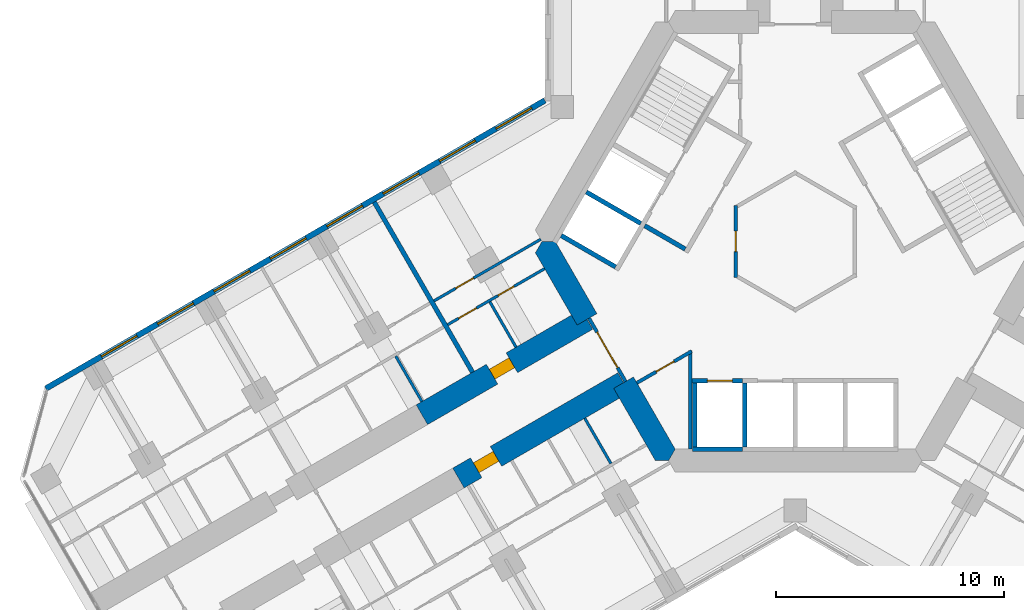
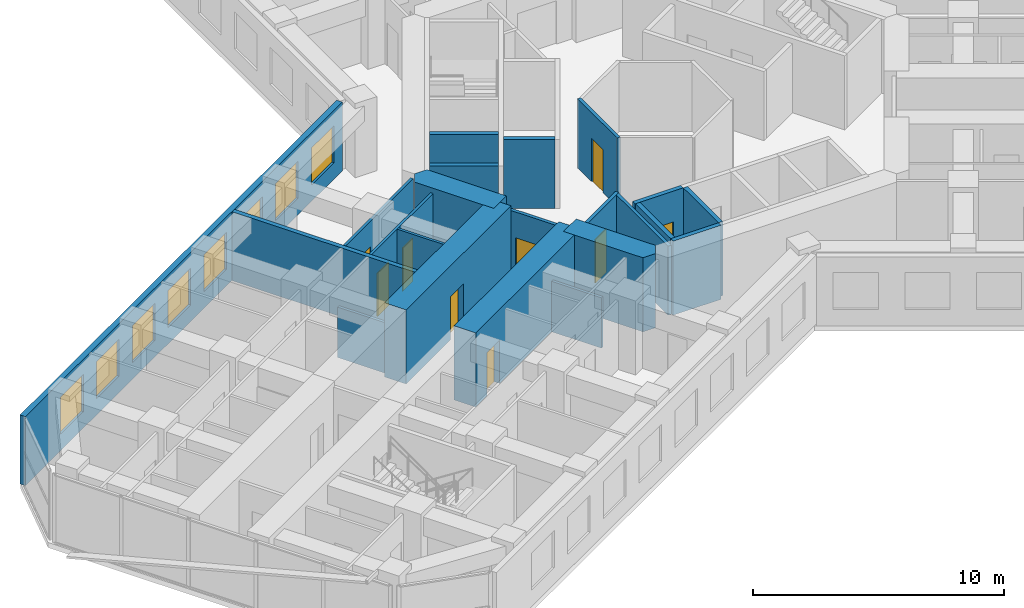
# One storey, part 12 of 21: 22 walls, 9 doors, 8 windows, 17 openings.
"""IFC4 building model written with IfcOpenShell, lengths in metres."""

import ifcopenshell
import ifcopenshell.guid

model = None  # the IFC model being written
_history = None  # IfcOwnerHistory: only IFC2X3 demands one
_inside = {}  # id of a spatial element -> (the spatial element, [elements in it])
_under = {}  # id of a project, library or spatial element -> (it, [spatial elements below it])
_declared = {}  # id of a project -> (the project, [libraries it declares])
_typed = {}  # id of a type object -> (the type object, [elements of that type])
_made_of = {}  # id of a material, layer set ... -> (it, [elements and type objects made of it])


def new_model(schema):
    """Start an empty IFC model of exactly this schema.

    Asked for "IFC4X3", IfcOpenShell would pick the latest addendum, in which some entities
    have other attributes; the version numbers below select the first issue.
    IFC2X3 requires an IfcOwnerHistory on every rooted entity: one is made here for all.
    """
    global model, _history
    if schema == "IFC4X3":
        model = ifcopenshell.file(schema_version=(4, 3, 0, 0))
    else:
        model = ifcopenshell.file(schema=schema)
    _inside.clear()
    _under.clear()
    _declared.clear()
    _typed.clear()
    _made_of.clear()
    _history = None
    if model.schema == "IFC2X3":
        org = make("IfcOrganization", Name="unknown")
        user = make(
            "IfcPersonAndOrganization",
            ThePerson=make("IfcPerson", FamilyName="unknown"),
            TheOrganization=org,
        )
        app = make(
            "IfcApplication",
            ApplicationDeveloper=org,
            Version="unknown",
            ApplicationFullName="unknown",
            ApplicationIdentifier="unknown",
        )
        _history = make(
            "IfcOwnerHistory",
            OwningUser=user,
            OwningApplication=app,
            ChangeAction="ADDED",
            CreationDate=0,
        )
    return model


def make(cls, **values):
    """One entity of the class cls with the attributes given. An attribute that is None is left unset."""
    return model.create_entity(
        cls, **{name: value for name, value in values.items() if value is not None}
    )


def rooted(cls, **values):
    """An entity with a GlobalId (a new one), such as an element, a storey or a relation."""
    return make(cls, GlobalId=ifcopenshell.guid.new(), OwnerHistory=_history, **values)


def si_unit(unit_type, name, prefix=None):
    """IfcSIUnit, for example si_unit("LENGTHUNIT", "METRE", prefix="MILLI")."""
    return make("IfcSIUnit", UnitType=unit_type, Prefix=prefix, Name=name)


def assignment(units):
    """IfcUnitAssignment: the units of a project."""
    return None if units is None else make("IfcUnitAssignment", Units=units)


def point(xyz):
    """IfcCartesianPoint."""
    return None if xyz is None else make("IfcCartesianPoint", Coordinates=xyz)


def direction(xyz):
    """IfcDirection."""
    return None if xyz is None else make("IfcDirection", DirectionRatios=xyz)


def frame(location, z_axis=None, x_axis=None):
    """IfcAxis2Placement3D, a coordinate frame: its origin and axes. An axis left out is left unset."""
    return make(
        "IfcAxis2Placement3D",
        Location=point(location),
        Axis=direction(z_axis),
        RefDirection=direction(x_axis),
    )


def frame_2d(location, x_axis=None):
    """IfcAxis2Placement2D, a coordinate frame in the plane: its origin and x axis."""
    return make(
        "IfcAxis2Placement2D", Location=point(location), RefDirection=direction(x_axis)
    )


def origin():
    """The frame at (0, 0, 0) with its axes left unset."""
    return frame((0.0, 0.0, 0.0))


def place(relative_to, where):
    """IfcLocalPlacement: puts the frame where relative to a parent placement (None: the world)."""
    return make(
        "IfcLocalPlacement", PlacementRelTo=relative_to, RelativePlacement=where
    )


def context(
    kind, dimensions, precision=None, world=None, true_north=None, identifier=None
):
    """IfcGeometricRepresentationContext, for example the 3D "Model" context."""
    return make(
        "IfcGeometricRepresentationContext",
        ContextIdentifier=identifier,
        ContextType=kind,
        CoordinateSpaceDimension=dimensions,
        Precision=precision,
        WorldCoordinateSystem=world,
        TrueNorth=true_north,
    )


def subcontext(parent, identifier, kind, view, scale=None):
    """IfcGeometricRepresentationSubContext, for example "Body" below "Model"."""
    return make(
        "IfcGeometricRepresentationSubContext",
        ContextIdentifier=identifier,
        ContextType=kind,
        ParentContext=parent,
        TargetScale=scale,
        TargetView=view,
    )


def project(units=None, contexts=None):
    """IfcProject with its units and contexts."""
    return rooted(
        "IfcProject",
        Name="project",
        RepresentationContexts=contexts,
        UnitsInContext=assignment(units),
    )


def spatial(cls, under=None, at=None, **own):
    """A site, building, storey or space (cls), placed at a placement, below another one or the project."""
    s = rooted(cls, ObjectPlacement=at, **own)
    if under is not None:
        _under.setdefault(under.id(), (under, []))[1].append(s)
    return s


def polyline(points):
    """IfcPolyline through the points."""
    return make("IfcPolyline", Points=[point(p) for p in points])


def profile(cls, at=None, kind="AREA", **sizes):
    """A parametric profile (cls). Its sizes go by their IFC names, for example OverallWidth=200.0."""
    return make(cls, ProfileType=kind, Position=at, **sizes)


def rectangle(**sizes):
    """IfcRectangleProfileDef."""
    return profile("IfcRectangleProfileDef", **sizes)


def outline(outer, holes=None, kind="AREA"):
    """IfcArbitraryClosedProfileDef: a profile drawn as a closed curve; with holes, ...WithVoids."""
    if holes is None:
        return make("IfcArbitraryClosedProfileDef", ProfileType=kind, OuterCurve=outer)
    return make(
        "IfcArbitraryProfileDefWithVoids",
        ProfileType=kind,
        OuterCurve=outer,
        InnerCurves=holes,
    )


def extrude(swept, where, along, depth):
    """IfcExtrudedAreaSolid: the profile swept, set in the frame where, extruded along a direction by depth."""
    return make(
        "IfcExtrudedAreaSolid",
        SweptArea=swept,
        Position=where,
        ExtrudedDirection=direction(along),
        Depth=depth,
    )


def shape(context_of_items, identifier, shape_type, items):
    """IfcShapeRepresentation: the items that make up one representation, for example the "Body"."""
    return make(
        "IfcShapeRepresentation",
        ContextOfItems=context_of_items,
        RepresentationIdentifier=identifier,
        RepresentationType=shape_type,
        Items=items,
    )


def material(Name=None, Category=None):
    """IfcMaterial."""
    return make("IfcMaterial", Name=Name, Category=Category)


def layer(
    of_material, thickness, ventilated=None, Name=None, Category=None, Priority=None
):
    """IfcMaterialLayer: one layer of a wall or slab, of a material (None: an air gap)."""
    return make(
        "IfcMaterialLayer",
        Material=of_material,
        LayerThickness=thickness,
        IsVentilated=ventilated,
        Name=Name,
        Category=Category,
        Priority=Priority,
    )


def layer_set(layers, Name=None):
    """IfcMaterialLayerSet."""
    return make("IfcMaterialLayerSet", MaterialLayers=layers, LayerSetName=Name)


def made_of(thing, what):
    """Note that an element or type object is made of a material, layer set ...; save() writes the relation."""
    if what is not None:
        _made_of.setdefault(what.id(), (what, []))[1].append(thing)
    return thing


def type_object(cls, material=None, **own):
    """A type object (cls), such as IfcWallType, which elements share."""
    return made_of(rooted(cls, **own), material)


def element(
    cls,
    number,
    at=None,
    inside=None,
    cuts=None,
    type_object=None,
    material=None,
    context=None,
    identifier="Body",
    shape_type=None,
    held_by="IfcProductDefinitionShape",
    body=None,
    shapes=None,
    **own,
):
    """One element of the class cls, such as IfcWall. Its Tag is "e" and its number.

    at: its placement. inside: the storey or other place that contains it. cuts: it is an
    opening in that element (IfcRelVoidsElement). A single representation is given by context,
    identifier, shape_type and body (its items); several are given by shapes. held_by: the class
    of the entity that holds the representations. save() writes the other relations.
    """
    e = rooted(cls, Tag="e%d" % number, ObjectPlacement=at, **own)
    if body is not None:
        shapes = [shape(context, identifier, shape_type, body)]
    if shapes is not None:
        e.Representation = make(held_by, Representations=shapes)
    if inside is not None:
        _inside.setdefault(inside.id(), (inside, []))[1].append(e)
    if cuts is not None:
        rooted(
            "IfcRelVoidsElement", RelatingBuildingElement=cuts, RelatedOpeningElement=e
        )
    if type_object is not None:
        _typed.setdefault(type_object.id(), (type_object, []))[1].append(e)
    return made_of(e, material)


def fill(opening, filler):
    """IfcRelFillsElement: the door or window that sits in an opening."""
    return rooted(
        "IfcRelFillsElement",
        RelatingOpeningElement=opening,
        RelatedBuildingElement=filler,
    )


def aggregate(whole, parts):
    """IfcRelAggregates: a whole, such as a stair, and the parts it consists of."""
    return rooted("IfcRelAggregates", RelatingObject=whole, RelatedObjects=parts)


def save(model, path):
    """Write the relations noted so far, then the file.

    IfcRelAggregates (storeys below a building ...), IfcRelContainedInSpatialStructure (elements
    in a storey), IfcRelDefinesByType, IfcRelAssociatesMaterial and IfcRelDeclares: one each for
    every whole, place, type object, material and project.
    """
    for whole, parts in _under.values():
        aggregate(whole, parts)
    for where, things in _inside.values():
        rooted(
            "IfcRelContainedInSpatialStructure",
            RelatedElements=things,
            RelatingStructure=where,
        )
    for kind, things in _typed.values():
        rooted("IfcRelDefinesByType", RelatedObjects=things, RelatingType=kind)
    for what, things in _made_of.values():
        rooted("IfcRelAssociatesMaterial", RelatedObjects=things, RelatingMaterial=what)
    for by, libraries in _declared.values():
        rooted("IfcRelDeclares", RelatingContext=by, RelatedDefinitions=libraries)
    model.write(path)


model = new_model("IFC4")

# Units and contexts
model_context = context("Model", 3, precision=1e-05, world=origin(), true_north=direction((0.0, 1.0)))
body_context = subcontext(model_context, "Body", "Model", "MODEL_VIEW")
ifc_project = project(units=[si_unit("LENGTHUNIT", "METRE"), si_unit("AREAUNIT", "SQUARE_METRE"), si_unit("VOLUMEUNIT", "CUBIC_METRE"), si_unit("PLANEANGLEUNIT", "RADIAN"), si_unit("MASSUNIT", "GRAM", prefix="KILO")], contexts=[model_context])

# Site, building, storey
site_placement = place(None, origin())
site = spatial("IfcSite", under=ifc_project, at=site_placement, CompositionType="ELEMENT")
building_placement = place(site_placement, origin())
building = spatial("IfcBuilding", under=site, at=building_placement, Name="Kosmar Iwan School Tower", CompositionType="ELEMENT")
storey_placement = place(building_placement, frame((0.0, 0.0, 46.60009765625)))
storey = spatial("IfcBuildingStorey", under=building, at=storey_placement, Name="L10", CompositionType="ELEMENT", Elevation=46.60009765625)

# Wall, opening, door
ifc_material_1 = material(Name="Gypsum board on steel studs, fire-rated", Category="steel")
ifc_layer_1 = layer(ifc_material_1, 0.14990234375)
ifc_layer_set_1 = layer_set([ifc_layer_1], Name="Core room partition 150")
wall_type_1 = type_object("IfcWallType", Name="Core room partition 150", PredefinedType="PARTITIONING", material=ifc_layer_set_1)
wall_1_placement = place(storey_placement, frame((-2.60009765625, -1.576171875, 0.0), z_axis=(0.0, 0.0, 1.0), x_axis=(0.0, 1.0, 0.0)))
wall_1 = element("IfcWall", 1, at=wall_1_placement, inside=storey, type_object=wall_type_1, Name="Core room partition L10-CW6", PredefinedType="PARTITIONING", context=body_context, shape_type="SweptSolid", body=[
    extrude(rectangle(XDim=3.15234375, YDim=0.14990234375, at=frame_2d((1.576171875, 0.0))), origin(), (0.0, 0.0, 1.0), 3.349853515625),
])
opening_1_placement = place(wall_1_placement, frame((1.1259765625, 0.0, 0.0)))
opening_1 = element("IfcOpeningElement", 2, at=opening_1_placement, cuts=wall_1, Name="Opening D14", PredefinedType="OPENING", context=body_context, shape_type="SweptSolid", body=[
    extrude(rectangle(XDim=0.89990234375, YDim=2.10009765625, at=frame_2d((0.449951171875, 1.050048828125))), frame((0.0, 0.0869140625, 0.0), z_axis=(0.0, -1.0, 0.0), x_axis=(1.0, 0.0, 0.0)), (0.0, 0.0, 1.0), 0.173828125),
])
ifc_material_2 = material(Name="Timber fire door in steel frame", Category="steel")
door_type_1 = type_object("IfcDoorType", Name="Core room door 900x2100", OperationType="SINGLE_SWING_LEFT", PredefinedType="DOOR", material=ifc_material_2)
door_1_placement = place(opening_1_placement, origin())
door_1 = element("IfcDoor", 3, at=door_1_placement, inside=storey, type_object=door_type_1, Name="Pram and buggy store door L10 3", OperationType="SINGLE_SWING_LEFT", OverallHeight=2.10009765625, OverallWidth=0.89990234375, PredefinedType="DOOR", context=body_context, shape_type="SweptSolid", body=[
    extrude(rectangle(XDim=0.89990234375, YDim=2.10009765625, at=frame_2d((0.449951171875, 1.050048828125))), frame((0.0, 0.02490234375, 0.0), z_axis=(0.0, -1.0, 0.0), x_axis=(1.0, 0.0, 0.0)), (0.0, 0.0, 1.0), 0.050048828125),
])
fill(opening_1, door_1)

wall_2_placement = place(storey_placement, frame((-6.930908203125, -6.195556640625, 0.0), z_axis=(0.0, 0.0, 1.0), x_axis=(0.866007755774, 0.500030566006, 0.0)))
wall_2 = element("IfcWall", 4, at=wall_2_placement, inside=storey, type_object=wall_type_1, Name="Core room partition L10-CW10", PredefinedType="PARTITIONING", context=body_context, shape_type="SweptSolid", body=[
    extrude(rectangle(XDim=2.766357421875, YDim=0.14990234375, at=frame_2d((1.38330078125, 0.0))), origin(), (0.0, 0.0, 1.0), 3.349853515625),
])
opening_2_placement = place(wall_2_placement, frame((0.97607421875, 0.0, 0.0)))
opening_2 = element("IfcOpeningElement", 5, at=opening_2_placement, cuts=wall_2, Name="Opening D14", PredefinedType="OPENING", context=body_context, shape_type="SweptSolid", body=[
    extrude(rectangle(XDim=0.89990234375, YDim=2.10009765625, at=frame_2d((0.449951171875, 1.050048828125))), frame((0.0, 0.0869140625, 0.0), z_axis=(0.0, -1.0, 0.0), x_axis=(1.0, 0.0, 0.0)), (0.0, 0.0, 1.0), 0.173828125),
])
door_2_placement = place(opening_2_placement, origin())
door_2 = element("IfcDoor", 6, at=door_2_placement, inside=storey, type_object=door_type_1, Name="Water meter room door L10 4", OperationType="SINGLE_SWING_RIGHT", OverallHeight=2.10009765625, OverallWidth=0.89990234375, PredefinedType="DOOR", context=body_context, shape_type="SweptSolid", body=[
    extrude(rectangle(XDim=0.89990234375, YDim=2.10009765625, at=frame_2d((0.449951171875, 1.050048828125))), frame((0.0, 0.02490234375, 0.0), z_axis=(0.0, -1.0, 0.0), x_axis=(1.0, 0.0, 0.0)), (0.0, 0.0, 1.0), 0.050048828125),
])
fill(opening_2, door_2)

# Walls
wall_3_placement = place(storey_placement, frame((-4.60009765625, -4.774658203125, 0.0), z_axis=(0.0, 0.0, 1.0), x_axis=(0.0, -1.0, 0.0)))
element("IfcWall", 7, at=wall_3_placement, inside=storey, type_object=wall_type_1, Name="Core room partition L10-CW11", PredefinedType="PARTITIONING", context=body_context, shape_type="SweptSolid", body=[
    extrude(rectangle(XDim=4.3203125, YDim=0.14990234375, at=frame_2d((2.16015625, 0.0))), origin(), (0.0, 0.0, 1.0), 3.349853515625),
])
ifc_material_3 = material(Name="Concrete C50/60", Category="concrete")
ifc_layer_2 = layer(ifc_material_3, 1.0)
ifc_layer_set_2 = layer_set([ifc_layer_2], Name="Core wall 1000")
wall_type_2 = type_object("IfcWallType", Name="Core wall 1000", PredefinedType="SHEAR", material=ifc_layer_set_2)
wall_4_placement = place(storey_placement, origin())
element("IfcWall", 8, at=wall_4_placement, inside=storey, type_object=wall_type_2, Name="Core wall F210a", PredefinedType="SHEAR", context=body_context, shape_type="SweptSolid", body=[
    extrude(outline(polyline([(-9.546875, -3.664306640625), (-8.680908203125, -3.164306640625), (-10.5078125, 0.0), (-11.085205078125, 0.0), (-11.373779296875, -0.5), (-9.546875, -3.664306640625)])), origin(), (0.0, 0.0, 1.0), 3.599853515625),
])
wall_5_placement = place(storey_placement, origin())
element("IfcWall", 9, at=wall_5_placement, inside=storey, type_object=wall_type_2, Name="Core wall F210b", PredefinedType="SHEAR", context=body_context, shape_type="SweptSolid", body=[
    extrude(outline(polyline([(-6.119873046875, -9.60009765625), (-5.54248046875, -9.60009765625), (-5.25390625, -9.10009765625), (-7.080810546875, -5.935546875), (-7.94677734375, -6.435546875), (-6.119873046875, -9.60009765625)])), origin(), (0.0, 0.0, 1.0), 3.599853515625),
])

# Wall, opening, door
ifc_material_4 = material(Name="Concrete C50/60", Category="concrete")
ifc_layer_3 = layer(ifc_material_4, 1.0)
ifc_layer_set_3 = layer_set([ifc_layer_3], Name="Corridor buttress wall 1000")
wall_type_3 = type_object("IfcWallType", Name="Corridor buttress wall 1000", PredefinedType="SHEAR", material=ifc_layer_set_3)
wall_6_placement = place(storey_placement, frame((-7.513916015625, -6.185546875, 0.0), z_axis=(0.0, 0.0, 1.0), x_axis=(-0.866019549707, -0.500010139422, 0.0)))
wall_6 = element("IfcWall", 10, at=wall_6_placement, inside=storey, type_object=wall_type_3, Name="Corridor wall BL", PredefinedType="SHEAR", context=body_context, shape_type="SweptSolid", body=[
    extrude(rectangle(XDim=8.349853515625, YDim=1.0, at=frame_2d((4.1748046875, 0.0))), origin(), (0.0, 0.0, 1.0), 3.599853515625),
])
opening_3_placement = place(wall_6_placement, frame((6.449951171875, 0.0, 0.0)))
opening_3 = element("IfcOpeningElement", 11, at=opening_3_placement, cuts=wall_6, Name="Opening D1", PredefinedType="OPENING", context=body_context, shape_type="SweptSolid", body=[
    extrude(rectangle(XDim=1.0, YDim=2.10009765625, at=frame_2d((0.5, 1.050048828125))), frame((0.0, 0.511962890625, 0.0), z_axis=(0.0, -1.0, 0.0), x_axis=(1.0, 0.0, 0.0)), (0.0, 0.0, 1.0), 1.02392578125),
])
ifc_material_5 = material(Name="Timber fire door in steel frame", Category="steel")
door_type_2 = type_object("IfcDoorType", Name="Flat entrance door 1000x2100", OperationType="SINGLE_SWING_LEFT", PredefinedType="DOOR", material=ifc_material_5)
door_3_placement = place(opening_3_placement, origin())
door_3 = element("IfcDoor", 12, at=door_3_placement, inside=storey, type_object=door_type_2, Name="Flat L10-BL1 entrance door", OperationType="SINGLE_SWING_LEFT", OverallHeight=2.10009765625, OverallWidth=1.0, PredefinedType="DOOR", context=body_context, shape_type="SweptSolid", body=[
    extrude(rectangle(XDim=1.0, YDim=2.10009765625, at=frame_2d((0.5, 1.050048828125))), frame((0.0, 0.25, 0.0), z_axis=(0.0, -1.0, 0.0), x_axis=(1.0, 0.0, 0.0)), (0.0, 0.0, 1.0), 0.5),
])
fill(opening_3, door_3)

wall_7_placement = place(storey_placement, frame((-9.11376953125, -3.414306640625, 0.0), z_axis=(0.0, 0.0, 1.0), x_axis=(-0.866026859388, -0.499997478812, 0.0)))
wall_7 = element("IfcWall", 13, at=wall_7_placement, inside=storey, type_object=wall_type_3, Name="Corridor wall BR", PredefinedType="SHEAR", context=body_context, shape_type="SweptSolid", body=[
    extrude(rectangle(XDim=8.35009765625, YDim=1.0, at=frame_2d((4.175048828125, 0.0))), origin(), (0.0, 0.0, 1.0), 3.599853515625),
])
opening_4_placement = place(wall_7_placement, frame((3.800048828125, 0.0, 0.0)))
opening_4 = element("IfcOpeningElement", 14, at=opening_4_placement, cuts=wall_7, Name="Opening D1", PredefinedType="OPENING", context=body_context, shape_type="SweptSolid", body=[
    extrude(rectangle(XDim=1.0, YDim=2.10009765625, at=frame_2d((0.5, 1.050048828125))), frame((0.0, 0.511962890625, 0.0), z_axis=(0.0, -1.0, 0.0), x_axis=(1.0, 0.0, 0.0)), (0.0, 0.0, 1.0), 1.02392578125),
])
door_4_placement = place(opening_4_placement, origin())
door_4 = element("IfcDoor", 15, at=door_4_placement, inside=storey, type_object=door_type_2, Name="Flat L10-BR1 entrance door", OperationType="SINGLE_SWING_RIGHT", OverallHeight=2.10009765625, OverallWidth=1.0, PredefinedType="DOOR", context=body_context, shape_type="SweptSolid", body=[
    extrude(rectangle(XDim=1.0, YDim=2.10009765625, at=frame_2d((0.5, 1.050048828125))), frame((0.0, 0.25, 0.0), z_axis=(0.0, -1.0, 0.0), x_axis=(1.0, 0.0, 0.0)), (0.0, 0.0, 1.0), 0.5),
])
fill(opening_4, door_4)

ifc_material_6 = material(Name="Steel framed glazed screen", Category="steel")
ifc_layer_4 = layer(ifc_material_6, 0.14990234375)
ifc_layer_set_4 = layer_set([ifc_layer_4], Name="Corridor screen wall 150")
wall_type_4 = type_object("IfcWallType", Name="Corridor screen wall 150", PredefinedType="PARTITIONING", material=ifc_layer_set_4)
wall_8_placement = place(storey_placement, frame((-9.02734375, -3.3642578125, 0.0), z_axis=(0.0, 0.0, 1.0), x_axis=(0.499995408039, -0.866028054938, 0.0)))
wall_8 = element("IfcWall", 16, at=wall_8_placement, inside=storey, type_object=wall_type_4, Name="Corridor screen B L10", PredefinedType="PARTITIONING", context=body_context, shape_type="SweptSolid", body=[
    extrude(rectangle(XDim=3.2001953125, YDim=0.14990234375, at=frame_2d((1.60009765625, 0.0))), origin(), (0.0, 0.0, 1.0), 3.349853515625),
])
opening_5_placement = place(wall_8_placement, frame((0.699951171875, 0.0, 0.0)))
opening_5 = element("IfcOpeningElement", 17, at=opening_5_placement, cuts=wall_8, Name="Opening D9", PredefinedType="OPENING", context=body_context, shape_type="SweptSolid", body=[
    extrude(rectangle(XDim=1.800048828125, YDim=2.10009765625, at=frame_2d((0.89990234375, 1.050048828125))), frame((0.0, 0.0869140625, 0.0), z_axis=(0.0, -1.0, 0.0), x_axis=(1.0, 0.0, 0.0)), (0.0, 0.0, 1.0), 0.173828125),
])
ifc_material_7 = material(Name="Steel framed glazed smoke door", Category="steel")
door_type_3 = type_object("IfcDoorType", Name="Corridor smoke door pair 1800x2100", OperationType="DOUBLE_DOOR_DOUBLE_SWING", PredefinedType="DOOR", material=ifc_material_7)
door_5_placement = place(opening_5_placement, origin())
door_5 = element("IfcDoor", 18, at=door_5_placement, inside=storey, type_object=door_type_3, Name="Corridor doors B L10", OperationType="DOUBLE_DOOR_DOUBLE_SWING", OverallHeight=2.10009765625, OverallWidth=1.800048828125, PredefinedType="DOOR", context=body_context, shape_type="SweptSolid", body=[
    extrude(rectangle(XDim=1.800048828125, YDim=2.10009765625, at=frame_2d((0.89990234375, 1.050048828125))), frame((0.0, 0.02490234375, 0.0), z_axis=(0.0, -1.0, 0.0), x_axis=(1.0, 0.0, 0.0)), (0.0, 0.0, 1.0), 0.050048828125),
])
fill(opening_5, door_5)

# Wall
ifc_material_8 = material(Name="Gypsum board on steel studs", Category="steel")
ifc_layer_5 = layer(ifc_material_8, 0.1201171875)
ifc_layer_set_5 = layer_set([ifc_layer_5], Name="Dwelling partition 120")
wall_type_5 = type_object("IfcWallType", Name="Dwelling partition 120", PredefinedType="PARTITIONING", material=ifc_layer_set_5)
wall_9_placement = place(storey_placement, frame((-9.21240234375, -7.74365234375, 0.0), z_axis=(0.0, 0.0, 1.0), x_axis=(0.500014693593, -0.866016920268, 0.0)))
element("IfcWall", 19, at=wall_9_placement, inside=storey, type_object=wall_type_5, Name="Partition L10-BL1-Y1", PredefinedType="PARTITIONING", context=body_context, shape_type="SweptSolid", body=[
    extrude(rectangle(XDim=2.2900390625, YDim=0.1201171875, at=frame_2d((1.14501953125, 0.0))), origin(), (0.0, 0.0, 1.0), 2.449951171875),
])

# Wall, openings, doors
wall_10_placement = place(storey_placement, frame((-10.971923828125, -1.1962890625, 0.0), z_axis=(0.0, 0.0, 1.0), x_axis=(-0.866023786258, -0.500002801628, 0.0)))
wall_10 = element("IfcWall", 20, at=wall_10_placement, inside=storey, type_object=wall_type_5, Name="Partition L10-BR1-W1", PredefinedType="PARTITIONING", context=body_context, shape_type="SweptSolid", body=[
    extrude(rectangle(XDim=4.89990234375, YDim=0.1201171875, at=frame_2d((2.449951171875, 0.0))), origin(), (0.0, 0.0, 1.0), 3.349853515625),
])
opening_6_placement = place(wall_10_placement, frame((1.550048828125, 0.0, 0.0)))
opening_6 = element("IfcOpeningElement", 21, at=opening_6_placement, cuts=wall_10, Name="Opening D3", PredefinedType="OPENING", context=body_context, shape_type="SweptSolid", body=[
    extrude(rectangle(XDim=0.800048828125, YDim=2.10009765625, at=frame_2d((0.39990234375, 1.050048828125))), frame((0.0, 0.072021484375, 0.0), z_axis=(0.0, -1.0, 0.0), x_axis=(1.0, 0.0, 0.0)), (0.0, 0.0, 1.0), 0.14404296875),
])
opening_7_placement = place(wall_10_placement, frame((3.449951171875, 0.0, 0.0)))
opening_7 = element("IfcOpeningElement", 22, at=opening_7_placement, cuts=wall_10, Name="Opening D2", PredefinedType="OPENING", context=body_context, shape_type="SweptSolid", body=[
    extrude(rectangle(XDim=0.89990234375, YDim=2.10009765625, at=frame_2d((0.449951171875, 1.050048828125))), frame((0.0, 0.072021484375, 0.0), z_axis=(0.0, -1.0, 0.0), x_axis=(1.0, 0.0, 0.0)), (0.0, 0.0, 1.0), 0.14404296875),
])
ifc_material_9 = material(Name="Timber door in timber frame", Category="wood")
door_type_4 = type_object("IfcDoorType", Name="Internal door 900x2100", OperationType="SINGLE_SWING_LEFT", PredefinedType="DOOR", material=ifc_material_9)
door_6_placement = place(opening_7_placement, origin())
door_6 = element("IfcDoor", 23, at=door_6_placement, inside=storey, type_object=door_type_4, Name="Entrance hall door L10-BR1-S2", OperationType="SINGLE_SWING_RIGHT", OverallHeight=2.10009765625, OverallWidth=0.89990234375, PredefinedType="DOOR", context=body_context, shape_type="SweptSolid", body=[
    extrude(rectangle(XDim=0.89990234375, YDim=2.10009765625, at=frame_2d((0.449951171875, 1.050048828125))), frame((0.0, 0.02490234375, 0.0), z_axis=(0.0, -1.0, 0.0), x_axis=(1.0, 0.0, 0.0)), (0.0, 0.0, 1.0), 0.050048828125),
])
fill(opening_7, door_6)
ifc_material_10 = material(Name="Timber door in timber frame", Category="wood")
door_type_5 = type_object("IfcDoorType", Name="Sanitary room door 800x2100", OperationType="SINGLE_SWING_LEFT", PredefinedType="DOOR", material=ifc_material_10)
door_7_placement = place(opening_6_placement, origin())
door_7 = element("IfcDoor", 24, at=door_7_placement, inside=storey, type_object=door_type_5, Name="Bathroom door L10-BR1-S1", OperationType="SINGLE_SWING_RIGHT", OverallHeight=2.10009765625, OverallWidth=0.800048828125, PredefinedType="DOOR", context=body_context, shape_type="SweptSolid", body=[
    extrude(rectangle(XDim=0.800048828125, YDim=2.10009765625, at=frame_2d((0.39990234375, 1.050048828125))), frame((0.0, 0.02490234375, 0.0), z_axis=(0.0, -1.0, 0.0), x_axis=(1.0, 0.0, 0.0)), (0.0, 0.0, 1.0), 0.050048828125),
])
fill(opening_6, door_7)

# Wall, opening, door
wall_11_placement = place(storey_placement, frame((-11.138916015625, 0.093017578125, 0.0), z_axis=(0.0, 0.0, 1.0), x_axis=(-0.866028230842, -0.499995103361, 0.0)))
wall_11 = element("IfcWall", 25, at=wall_11_placement, inside=storey, type_object=wall_type_5, Name="Partition L10-BR1-W2", PredefinedType="PARTITIONING", context=body_context, shape_type="SweptSolid", body=[
    extrude(rectangle(XDim=5.39990234375, YDim=0.1201171875, at=frame_2d((2.699951171875, 0.0))), origin(), (0.0, 0.0, 1.0), 3.349853515625),
])
opening_8_placement = place(wall_11_placement, frame((3.39990234375, 0.0, 0.0)))
opening_8 = element("IfcOpeningElement", 26, at=opening_8_placement, cuts=wall_11, Name="Opening D2", PredefinedType="OPENING", context=body_context, shape_type="SweptSolid", body=[
    extrude(rectangle(XDim=0.89990234375, YDim=2.10009765625, at=frame_2d((0.449951171875, 1.050048828125))), frame((0.0, 0.072021484375, 0.0), z_axis=(0.0, -1.0, 0.0), x_axis=(1.0, 0.0, 0.0)), (0.0, 0.0, 1.0), 0.14404296875),
])
door_8_placement = place(opening_8_placement, origin())
door_8 = element("IfcDoor", 27, at=door_8_placement, inside=storey, type_object=door_type_4, Name="Studio living room and kitchen door L10-BR1-F1", OperationType="SINGLE_SWING_RIGHT", OverallHeight=2.10009765625, OverallWidth=0.89990234375, PredefinedType="DOOR", context=body_context, shape_type="SweptSolid", body=[
    extrude(rectangle(XDim=0.89990234375, YDim=2.10009765625, at=frame_2d((0.449951171875, 1.050048828125))), frame((0.0, 0.02490234375, 0.0), z_axis=(0.0, -1.0, 0.0), x_axis=(1.0, 0.0, 0.0)), (0.0, 0.0, 1.0), 0.050048828125),
])
fill(opening_8, door_8)

# Walls
wall_12_placement = place(storey_placement, frame((-12.2216796875, -4.63134765625, 0.0), z_axis=(0.0, 0.0, 1.0), x_axis=(-0.500014693593, 0.866016920268, 0.0)))
element("IfcWall", 28, at=wall_12_placement, inside=storey, type_object=wall_type_5, Name="Partition L10-BR1-Y1", PredefinedType="PARTITIONING", context=body_context, shape_type="SweptSolid", body=[
    extrude(rectangle(XDim=2.2900390625, YDim=0.1201171875, at=frame_2d((1.14501953125, 0.0))), origin(), (0.0, 0.0, 1.0), 3.349853515625),
])
wall_13_placement = place(storey_placement, frame((-16.341552734375, -7.010009765625, 0.0), z_axis=(0.0, 0.0, 1.0), x_axis=(-0.499968531483, 0.866043571379, 0.0)))
element("IfcWall", 29, at=wall_13_placement, inside=storey, type_object=wall_type_5, Name="Partition L10-BR2-Y1", PredefinedType="PARTITIONING", context=body_context, shape_type="SweptSolid", body=[
    extrude(rectangle(XDim=2.290283203125, YDim=0.1201171875, at=frame_2d((1.14501953125, 0.0))), origin(), (0.0, 0.0, 1.0), 2.449951171875),
])

# Wall, openings, windows
ifc_material_11 = material(Name="Black aluminium rainscreen on insulated framing", Category="aluminium")
ifc_layer_6 = layer(ifc_material_11, 0.25)
ifc_layer_set_6 = layer_set([ifc_layer_6], Name="External wall rainscreen 250")
wall_type_6 = type_object("IfcWallType", Name="External wall rainscreen 250", PredefinedType="SOLIDWALL", material=ifc_layer_set_6)
wall_14_placement = place(storey_placement, frame((-10.962890625, 6.170166015625, 0.0), z_axis=(0.0, 0.0, 1.0), x_axis=(-0.86602796634, -0.499995561497, 0.0)))
wall_14 = element("IfcWall", 30, at=wall_14_placement, inside=storey, type_object=wall_type_6, Name="External wall BR L10", PredefinedType="SOLIDWALL", context=body_context, shape_type="SweptSolid", body=[
    extrude(rectangle(XDim=25.226318359375, YDim=0.25, at=frame_2d((12.61328125, 0.0))), origin(), (0.0, 0.0, 1.0), 3.349853515625),
])
opening_9_placement = place(wall_14_placement, frame((0.666015625, 0.0, 0.800048828125)))
opening_9 = element("IfcOpeningElement", 31, at=opening_9_placement, cuts=wall_14, Name="Opening W1", PredefinedType="OPENING", context=body_context, shape_type="SweptSolid", body=[
    extrude(rectangle(XDim=1.800048828125, YDim=1.800048828125, at=frame_2d((0.89990234375, 0.89990234375))), frame((0.0, 0.136962890625, 0.0), z_axis=(0.0, -1.0, 0.0), x_axis=(1.0, 0.0, 0.0)), (0.0, 0.0, 1.0), 0.27392578125),
])
opening_10_placement = place(wall_14_placement, frame((3.51611328125, 0.0, 0.800048828125)))
opening_10 = element("IfcOpeningElement", 32, at=opening_10_placement, cuts=wall_14, Name="Opening W1", PredefinedType="OPENING", context=body_context, shape_type="SweptSolid", body=[
    extrude(rectangle(XDim=1.800048828125, YDim=1.800048828125, at=frame_2d((0.89990234375, 0.89990234375))), frame((0.0, 0.136962890625, 0.0), z_axis=(0.0, -1.0, 0.0), x_axis=(1.0, 0.0, 0.0)), (0.0, 0.0, 1.0), 0.27392578125),
])
opening_11_placement = place(wall_14_placement, frame((6.365966796875, 0.0, 0.800048828125)))
opening_11 = element("IfcOpeningElement", 33, at=opening_11_placement, cuts=wall_14, Name="Opening W1", PredefinedType="OPENING", context=body_context, shape_type="SweptSolid", body=[
    extrude(rectangle(XDim=1.800048828125, YDim=1.800048828125, at=frame_2d((0.89990234375, 0.89990234375))), frame((0.0, 0.136962890625, 0.0), z_axis=(0.0, -1.0, 0.0), x_axis=(1.0, 0.0, 0.0)), (0.0, 0.0, 1.0), 0.27392578125),
])
opening_12_placement = place(wall_14_placement, frame((9.216064453125, 0.0, 0.800048828125)))
opening_12 = element("IfcOpeningElement", 34, at=opening_12_placement, cuts=wall_14, Name="Opening W1", PredefinedType="OPENING", context=body_context, shape_type="SweptSolid", body=[
    extrude(rectangle(XDim=1.800048828125, YDim=1.800048828125, at=frame_2d((0.89990234375, 0.89990234375))), frame((0.0, 0.136962890625, 0.0), z_axis=(0.0, -1.0, 0.0), x_axis=(1.0, 0.0, 0.0)), (0.0, 0.0, 1.0), 0.27392578125),
])
opening_13_placement = place(wall_14_placement, frame((12.06591796875, 0.0, 0.800048828125)))
opening_13 = element("IfcOpeningElement", 35, at=opening_13_placement, cuts=wall_14, Name="Opening W1", PredefinedType="OPENING", context=body_context, shape_type="SweptSolid", body=[
    extrude(rectangle(XDim=1.800048828125, YDim=1.800048828125, at=frame_2d((0.89990234375, 0.89990234375))), frame((0.0, 0.136962890625, 0.0), z_axis=(0.0, -1.0, 0.0), x_axis=(1.0, 0.0, 0.0)), (0.0, 0.0, 1.0), 0.27392578125),
])
opening_14_placement = place(wall_14_placement, frame((14.916015625, 0.0, 0.800048828125)))
opening_14 = element("IfcOpeningElement", 36, at=opening_14_placement, cuts=wall_14, Name="Opening W1", PredefinedType="OPENING", context=body_context, shape_type="SweptSolid", body=[
    extrude(rectangle(XDim=1.800048828125, YDim=1.800048828125, at=frame_2d((0.89990234375, 0.89990234375))), frame((0.0, 0.136962890625, 0.0), z_axis=(0.0, -1.0, 0.0), x_axis=(1.0, 0.0, 0.0)), (0.0, 0.0, 1.0), 0.27392578125),
])
opening_15_placement = place(wall_14_placement, frame((17.76611328125, 0.0, 0.800048828125)))
opening_15 = element("IfcOpeningElement", 37, at=opening_15_placement, cuts=wall_14, Name="Opening W1", PredefinedType="OPENING", context=body_context, shape_type="SweptSolid", body=[
    extrude(rectangle(XDim=1.800048828125, YDim=1.800048828125, at=frame_2d((0.89990234375, 0.89990234375))), frame((0.0, 0.136962890625, 0.0), z_axis=(0.0, -1.0, 0.0), x_axis=(1.0, 0.0, 0.0)), (0.0, 0.0, 1.0), 0.27392578125),
])
opening_16_placement = place(wall_14_placement, frame((20.615966796875, 0.0, 0.800048828125)))
opening_16 = element("IfcOpeningElement", 38, at=opening_16_placement, cuts=wall_14, Name="Opening W1", PredefinedType="OPENING", context=body_context, shape_type="SweptSolid", body=[
    extrude(rectangle(XDim=1.800048828125, YDim=1.800048828125, at=frame_2d((0.89990234375, 0.89990234375))), frame((0.0, 0.136962890625, 0.0), z_axis=(0.0, -1.0, 0.0), x_axis=(1.0, 0.0, 0.0)), (0.0, 0.0, 1.0), 0.27392578125),
])
ifc_material_12 = material(Name="Black aluminium frame with dark triple glazing", Category="aluminium")
window_type = type_object("IfcWindowType", Name="Window 1800x1800", PartitioningType="SINGLE_PANEL", PredefinedType="WINDOW", material=ifc_material_12)
window_1_placement = place(opening_9_placement, origin())
window_1 = element("IfcWindow", 39, at=window_1_placement, inside=storey, type_object=window_type, Name="Window BR L10 -1", OverallHeight=1.800048828125, OverallWidth=1.800048828125, PartitioningType="SINGLE_PANEL", PredefinedType="WINDOW", context=body_context, shape_type="SweptSolid", body=[
    extrude(rectangle(XDim=1.800048828125, YDim=1.800048828125, at=frame_2d((0.89990234375, 0.89990234375))), frame((0.0, 0.030029296875, 0.0), z_axis=(0.0, -1.0, 0.0), x_axis=(1.0, 0.0, 0.0)), (0.0, 0.0, 1.0), 0.06005859375),
])
fill(opening_9, window_1)
window_2_placement = place(opening_10_placement, origin())
window_2 = element("IfcWindow", 40, at=window_2_placement, inside=storey, type_object=window_type, Name="Window BR L10 0", OverallHeight=1.800048828125, OverallWidth=1.800048828125, PartitioningType="SINGLE_PANEL", PredefinedType="WINDOW", context=body_context, shape_type="SweptSolid", body=[
    extrude(rectangle(XDim=1.800048828125, YDim=1.800048828125, at=frame_2d((0.89990234375, 0.89990234375))), frame((0.0, 0.030029296875, 0.0), z_axis=(0.0, -1.0, 0.0), x_axis=(1.0, 0.0, 0.0)), (0.0, 0.0, 1.0), 0.06005859375),
])
fill(opening_10, window_2)
window_3_placement = place(opening_11_placement, origin())
window_3 = element("IfcWindow", 41, at=window_3_placement, inside=storey, type_object=window_type, Name="Window BR L10 1", OverallHeight=1.800048828125, OverallWidth=1.800048828125, PartitioningType="SINGLE_PANEL", PredefinedType="WINDOW", context=body_context, shape_type="SweptSolid", body=[
    extrude(rectangle(XDim=1.800048828125, YDim=1.800048828125, at=frame_2d((0.89990234375, 0.89990234375))), frame((0.0, 0.030029296875, 0.0), z_axis=(0.0, -1.0, 0.0), x_axis=(1.0, 0.0, 0.0)), (0.0, 0.0, 1.0), 0.06005859375),
])
fill(opening_11, window_3)
window_4_placement = place(opening_12_placement, origin())
window_4 = element("IfcWindow", 42, at=window_4_placement, inside=storey, type_object=window_type, Name="Window BR L10 2", OverallHeight=1.800048828125, OverallWidth=1.800048828125, PartitioningType="SINGLE_PANEL", PredefinedType="WINDOW", context=body_context, shape_type="SweptSolid", body=[
    extrude(rectangle(XDim=1.800048828125, YDim=1.800048828125, at=frame_2d((0.89990234375, 0.89990234375))), frame((0.0, 0.030029296875, 0.0), z_axis=(0.0, -1.0, 0.0), x_axis=(1.0, 0.0, 0.0)), (0.0, 0.0, 1.0), 0.06005859375),
])
fill(opening_12, window_4)
window_5_placement = place(opening_13_placement, origin())
window_5 = element("IfcWindow", 43, at=window_5_placement, inside=storey, type_object=window_type, Name="Window BR L10 3", OverallHeight=1.800048828125, OverallWidth=1.800048828125, PartitioningType="SINGLE_PANEL", PredefinedType="WINDOW", context=body_context, shape_type="SweptSolid", body=[
    extrude(rectangle(XDim=1.800048828125, YDim=1.800048828125, at=frame_2d((0.89990234375, 0.89990234375))), frame((0.0, 0.030029296875, 0.0), z_axis=(0.0, -1.0, 0.0), x_axis=(1.0, 0.0, 0.0)), (0.0, 0.0, 1.0), 0.06005859375),
])
fill(opening_13, window_5)
window_6_placement = place(opening_14_placement, origin())
window_6 = element("IfcWindow", 44, at=window_6_placement, inside=storey, type_object=window_type, Name="Window BR L10 4", OverallHeight=1.800048828125, OverallWidth=1.800048828125, PartitioningType="SINGLE_PANEL", PredefinedType="WINDOW", context=body_context, shape_type="SweptSolid", body=[
    extrude(rectangle(XDim=1.800048828125, YDim=1.800048828125, at=frame_2d((0.89990234375, 0.89990234375))), frame((0.0, 0.030029296875, 0.0), z_axis=(0.0, -1.0, 0.0), x_axis=(1.0, 0.0, 0.0)), (0.0, 0.0, 1.0), 0.06005859375),
])
fill(opening_14, window_6)
window_7_placement = place(opening_15_placement, origin())
window_7 = element("IfcWindow", 45, at=window_7_placement, inside=storey, type_object=window_type, Name="Window BR L10 5", OverallHeight=1.800048828125, OverallWidth=1.800048828125, PartitioningType="SINGLE_PANEL", PredefinedType="WINDOW", context=body_context, shape_type="SweptSolid", body=[
    extrude(rectangle(XDim=1.800048828125, YDim=1.800048828125, at=frame_2d((0.89990234375, 0.89990234375))), frame((0.0, 0.030029296875, 0.0), z_axis=(0.0, -1.0, 0.0), x_axis=(1.0, 0.0, 0.0)), (0.0, 0.0, 1.0), 0.06005859375),
])
fill(opening_15, window_7)
window_8_placement = place(opening_16_placement, origin())
window_8 = element("IfcWindow", 46, at=window_8_placement, inside=storey, type_object=window_type, Name="Window BR L10 6", OverallHeight=1.800048828125, OverallWidth=1.800048828125, PartitioningType="SINGLE_PANEL", PredefinedType="WINDOW", context=body_context, shape_type="SweptSolid", body=[
    extrude(rectangle(XDim=1.800048828125, YDim=1.800048828125, at=frame_2d((0.89990234375, 0.89990234375))), frame((0.0, 0.030029296875, 0.0), z_axis=(0.0, -1.0, 0.0), x_axis=(1.0, 0.0, 0.0)), (0.0, 0.0, 1.0), 0.06005859375),
])
fill(opening_16, window_8)

# Walls
ifc_material_13 = material(Name="Concrete block masonry", Category="masonry")
ifc_layer_7 = layer(ifc_material_13, 0.199951171875)
ifc_layer_set_7 = layer_set([ifc_layer_7], Name="Fire lobby wall 200")
wall_type_7 = type_object("IfcWallType", Name="Fire lobby wall 200", PredefinedType="PARTITIONING", material=ifc_layer_set_7)
wall_15_placement = place(storey_placement, frame((-4.814208984375, -0.33837890625, 0.0), z_axis=(0.0, 0.0, 1.0), x_axis=(-0.865969381856, 0.500097020274, 0.0)))
element("IfcWall", 47, at=wall_15_placement, inside=storey, type_object=wall_type_7, Name="Firefighting lobby wall ST2", PredefinedType="PARTITIONING", context=body_context, shape_type="SweptSolid", body=[
    extrude(rectangle(XDim=2.0498046875, YDim=0.199951171875, at=frame_2d((1.02490234375, 0.0))), origin(), (0.0, 0.0, 1.0), 3.349853515625),
])
ifc_material_14 = material(Name="Concrete C50/60", Category="concrete")
ifc_layer_8 = layer(ifc_material_14, 0.199951171875)
ifc_layer_set_8 = layer_set([ifc_layer_8], Name="Lift shaft wall 200")
wall_type_8 = type_object("IfcWallType", Name="Lift shaft wall 200", PredefinedType="SHEAR", material=ifc_layer_set_8)
for number, where, z_axis, x_axis, name in (
    (48, (-6.7626953125, 0.78662109375, 0.0), (0.0, 0.0, 1.0), (-0.866027397988, 0.499996545922, 0.0), "Lift shaft wall AB 1"),
    (49, (-7.862548828125, -1.118408203125, 0.0), (0.0, 0.0, 1.0), (-0.866027397988, 0.499996545922, 0.0), "Lift shaft wall AB 2"),
):
    element("IfcWall", number, at=place(storey_placement, frame(where, z_axis=z_axis, x_axis=x_axis)), inside=storey, type_object=wall_type_8, Name=name, PredefinedType="SHEAR", context=body_context, shape_type="SweptSolid", body=[
        extrude(rectangle(XDim=2.75, YDim=0.199951171875, at=frame_2d((1.375, 0.0))), origin(), (0.0, 0.0, 1.0), 3.599853515625),
    ])

# Wall, opening, door
wall_16_placement = place(storey_placement, frame((-4.52490234375, -6.10009765625, 0.0), z_axis=(0.0, 0.0, 1.0), x_axis=(1.0, 0.0, 0.0)))
wall_16 = element("IfcWall", 50, at=wall_16_placement, inside=storey, type_object=wall_type_8, Name="Lift and stair front wall BC", PredefinedType="SHEAR", context=body_context, shape_type="SweptSolid", body=[
    extrude(rectangle(XDim=2.224853515625, YDim=0.199951171875, at=frame_2d((1.1123046875, 0.0))), origin(), (0.0, 0.0, 1.0), 3.599853515625),
])
opening_17_placement = place(wall_16_placement, frame((0.675048828125, 0.0, 0.0)))
opening_17 = element("IfcOpeningElement", 51, at=opening_17_placement, cuts=wall_16, Name="Opening LD1", PredefinedType="OPENING", context=body_context, shape_type="SweptSolid", body=[
    extrude(rectangle(XDim=1.10009765625, YDim=2.10009765625, at=frame_2d((0.550048828125, 1.050048828125))), frame((0.0, 0.112060546875, 0.0), z_axis=(0.0, -1.0, 0.0), x_axis=(1.0, 0.0, 0.0)), (0.0, 0.0, 1.0), 0.223876953125),
])
ifc_material_15 = material(Name="Stainless steel sliding lift door", Category="steel")
door_type_6 = type_object("IfcDoorType", Name="Lift landing door 1100x2100", OperationType="SLIDING_TO_LEFT", PredefinedType="DOOR", material=ifc_material_15)
door_9_placement = place(opening_17_placement, origin())
door_9 = element("IfcDoor", 52, at=door_9_placement, inside=storey, type_object=door_type_6, Name="Lift PL1 landing door L10", OperationType="SLIDING_TO_LEFT", OverallHeight=2.10009765625, OverallWidth=1.10009765625, PredefinedType="DOOR", context=body_context, shape_type="SweptSolid", body=[
    extrude(rectangle(XDim=1.10009765625, YDim=2.10009765625, at=frame_2d((0.550048828125, 1.050048828125))), frame((0.0, 0.02490234375, 0.0), z_axis=(0.0, -1.0, 0.0), x_axis=(1.0, 0.0, 0.0)), (0.0, 0.0, 1.0), 0.050048828125),
])
fill(opening_17, door_9)

# Walls
wall_17_placement = place(storey_placement, frame((-4.5, -9.10009765625, 0.0), z_axis=(0.0, 0.0, 1.0), x_axis=(1.0, 0.0, 0.0)))
element("IfcWall", 53, at=wall_17_placement, inside=storey, type_object=wall_type_8, Name="Lift and stair back wall BC", PredefinedType="SHEAR", context=body_context, shape_type="SweptSolid", body=[
    extrude(rectangle(XDim=2.199951171875, YDim=0.199951171875, at=frame_2d((1.10009765625, 0.0))), origin(), (0.0, 0.0, 1.0), 3.599853515625),
])
for number, where, z_axis, x_axis, name in (
    (54, (-4.39990234375, -6.199951171875, 0.0), (0.0, 0.0, 1.0), (0.0, -1.0, 0.0), "Lift shaft wall BC 0"),
    (55, (-2.199951171875, -6.199951171875, 0.0), (0.0, 0.0, 1.0), (0.0, -1.0, 0.0), "Lift shaft wall BC 1"),
):
    element("IfcWall", number, at=place(storey_placement, frame(where, z_axis=z_axis, x_axis=x_axis)), inside=storey, type_object=wall_type_8, Name=name, PredefinedType="SHEAR", context=body_context, shape_type="SweptSolid", body=[
        extrude(rectangle(XDim=2.800048828125, YDim=0.199951171875, at=frame_2d((1.39990234375, 0.0))), origin(), (0.0, 0.0, 1.0), 3.599853515625),
    ])
ifc_material_16 = material(Name="Concrete block masonry", Category="masonry")
ifc_layer_9 = layer(ifc_material_16, 0.199951171875)
ifc_layer_set_9 = layer_set([ifc_layer_9], Name="Party wall 200")
wall_type_9 = type_object("IfcWallType", Name="Party wall 200", PredefinedType="PARTITIONING", material=ifc_layer_set_9)
wall_18_placement = place(storey_placement, frame((-14.126953125, -5.7314453125, 0.0), z_axis=(0.0, 0.0, 1.0), x_axis=(-0.499995216735, 0.866028165386, 0.0)))
element("IfcWall", 56, at=wall_18_placement, inside=storey, type_object=wall_type_9, Name="Partition L10-BR2-PW", PredefinedType="PARTITIONING", context=body_context, shape_type="SweptSolid", body=[
    extrude(rectangle(XDim=8.60009765625, YDim=0.199951171875, at=frame_2d((4.300048828125, 0.0))), origin(), (0.0, 0.0, 1.0), 3.349853515625),
])

save(model, "model.ifc")
